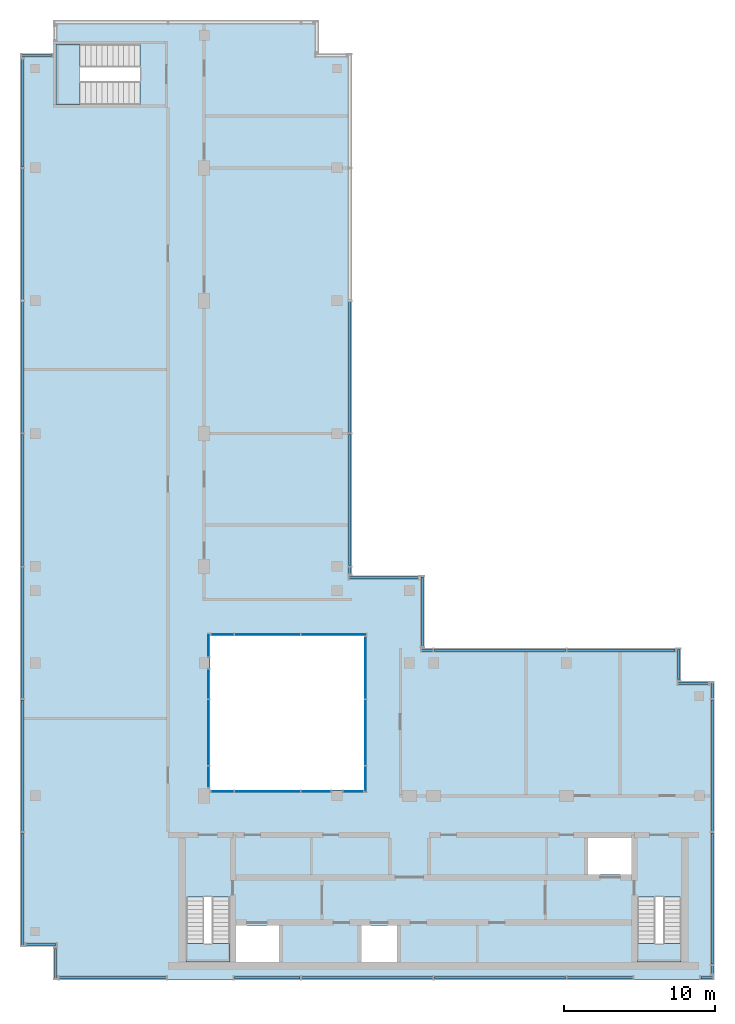
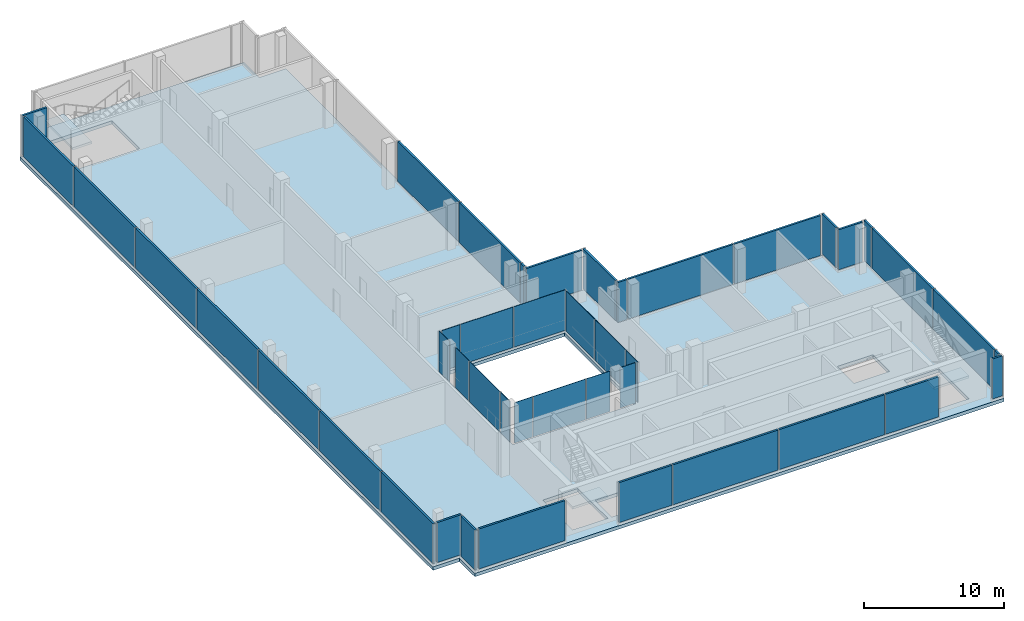
# One storey, part 7 of 11: 44 plates, 4 slabs, 23 elements without a shape of their own.
"""IFC4 building model written with IfcOpenShell, lengths in metres."""

import ifcopenshell
import ifcopenshell.guid

model = None  # the IFC model being written
_history = None  # IfcOwnerHistory: only IFC2X3 demands one
_inside = {}  # id of a spatial element -> (the spatial element, [elements in it])
_under = {}  # id of a project, library or spatial element -> (it, [spatial elements below it])
_declared = {}  # id of a project -> (the project, [libraries it declares])
_typed = {}  # id of a type object -> (the type object, [elements of that type])
_made_of = {}  # id of a material, layer set ... -> (it, [elements and type objects made of it])


def new_model(schema):
    """Start an empty IFC model of exactly this schema.

    Asked for "IFC4X3", IfcOpenShell would pick the latest addendum, in which some entities
    have other attributes; the version numbers below select the first issue.
    IFC2X3 requires an IfcOwnerHistory on every rooted entity: one is made here for all.
    """
    global model, _history
    if schema == "IFC4X3":
        model = ifcopenshell.file(schema_version=(4, 3, 0, 0))
    else:
        model = ifcopenshell.file(schema=schema)
    _inside.clear()
    _under.clear()
    _declared.clear()
    _typed.clear()
    _made_of.clear()
    _history = None
    if model.schema == "IFC2X3":
        org = make("IfcOrganization", Name="unknown")
        user = make(
            "IfcPersonAndOrganization",
            ThePerson=make("IfcPerson", FamilyName="unknown"),
            TheOrganization=org,
        )
        app = make(
            "IfcApplication",
            ApplicationDeveloper=org,
            Version="unknown",
            ApplicationFullName="unknown",
            ApplicationIdentifier="unknown",
        )
        _history = make(
            "IfcOwnerHistory",
            OwningUser=user,
            OwningApplication=app,
            ChangeAction="ADDED",
            CreationDate=0,
        )
    return model


def make(cls, **values):
    """One entity of the class cls with the attributes given. An attribute that is None is left unset."""
    return model.create_entity(
        cls, **{name: value for name, value in values.items() if value is not None}
    )


def rooted(cls, **values):
    """An entity with a GlobalId (a new one), such as an element, a storey or a relation."""
    return make(cls, GlobalId=ifcopenshell.guid.new(), OwnerHistory=_history, **values)


def si_unit(unit_type, name, prefix=None):
    """IfcSIUnit, for example si_unit("LENGTHUNIT", "METRE", prefix="MILLI")."""
    return make("IfcSIUnit", UnitType=unit_type, Prefix=prefix, Name=name)


def assignment(units):
    """IfcUnitAssignment: the units of a project."""
    return None if units is None else make("IfcUnitAssignment", Units=units)


def point(xyz):
    """IfcCartesianPoint."""
    return None if xyz is None else make("IfcCartesianPoint", Coordinates=xyz)


def direction(xyz):
    """IfcDirection."""
    return None if xyz is None else make("IfcDirection", DirectionRatios=xyz)


def frame(location, z_axis=None, x_axis=None):
    """IfcAxis2Placement3D, a coordinate frame: its origin and axes. An axis left out is left unset."""
    return make(
        "IfcAxis2Placement3D",
        Location=point(location),
        Axis=direction(z_axis),
        RefDirection=direction(x_axis),
    )


def frame_2d(location, x_axis=None):
    """IfcAxis2Placement2D, a coordinate frame in the plane: its origin and x axis."""
    return make(
        "IfcAxis2Placement2D", Location=point(location), RefDirection=direction(x_axis)
    )


def origin():
    """The frame at (0, 0, 0) with its axes left unset."""
    return frame((0.0, 0.0, 0.0))


def origin_2d():
    """The frame at (0, 0) in the plane with its x axis left unset."""
    return frame_2d((0.0, 0.0))


def place(relative_to, where):
    """IfcLocalPlacement: puts the frame where relative to a parent placement (None: the world)."""
    return make(
        "IfcLocalPlacement", PlacementRelTo=relative_to, RelativePlacement=where
    )


def context(
    kind, dimensions, precision=None, world=None, true_north=None, identifier=None
):
    """IfcGeometricRepresentationContext, for example the 3D "Model" context."""
    return make(
        "IfcGeometricRepresentationContext",
        ContextIdentifier=identifier,
        ContextType=kind,
        CoordinateSpaceDimension=dimensions,
        Precision=precision,
        WorldCoordinateSystem=world,
        TrueNorth=true_north,
    )


def subcontext(parent, identifier, kind, view, scale=None):
    """IfcGeometricRepresentationSubContext, for example "Body" below "Model"."""
    return make(
        "IfcGeometricRepresentationSubContext",
        ContextIdentifier=identifier,
        ContextType=kind,
        ParentContext=parent,
        TargetScale=scale,
        TargetView=view,
    )


def project(units=None, contexts=None):
    """IfcProject with its units and contexts."""
    return rooted(
        "IfcProject",
        Name="project",
        RepresentationContexts=contexts,
        UnitsInContext=assignment(units),
    )


def spatial(cls, under=None, at=None, **own):
    """A site, building, storey or space (cls), placed at a placement, below another one or the project."""
    s = rooted(cls, ObjectPlacement=at, **own)
    if under is not None:
        _under.setdefault(under.id(), (under, []))[1].append(s)
    return s


def polyline(points):
    """IfcPolyline through the points."""
    return make("IfcPolyline", Points=[point(p) for p in points])


def profile(cls, at=None, kind="AREA", **sizes):
    """A parametric profile (cls). Its sizes go by their IFC names, for example OverallWidth=200.0."""
    return make(cls, ProfileType=kind, Position=at, **sizes)


def rectangle(**sizes):
    """IfcRectangleProfileDef."""
    return profile("IfcRectangleProfileDef", **sizes)


def outline(outer, holes=None, kind="AREA"):
    """IfcArbitraryClosedProfileDef: a profile drawn as a closed curve; with holes, ...WithVoids."""
    if holes is None:
        return make("IfcArbitraryClosedProfileDef", ProfileType=kind, OuterCurve=outer)
    return make(
        "IfcArbitraryProfileDefWithVoids",
        ProfileType=kind,
        OuterCurve=outer,
        InnerCurves=holes,
    )


def extrude(swept, where, along, depth):
    """IfcExtrudedAreaSolid: the profile swept, set in the frame where, extruded along a direction by depth."""
    return make(
        "IfcExtrudedAreaSolid",
        SweptArea=swept,
        Position=where,
        ExtrudedDirection=direction(along),
        Depth=depth,
    )


def shape(context_of_items, identifier, shape_type, items):
    """IfcShapeRepresentation: the items that make up one representation, for example the "Body"."""
    return make(
        "IfcShapeRepresentation",
        ContextOfItems=context_of_items,
        RepresentationIdentifier=identifier,
        RepresentationType=shape_type,
        Items=items,
    )


def source(mapping_origin, context_of_items, identifier, shape_type, items):
    """IfcRepresentationMap: a shape defined once, which mapped items show again and again."""
    return make(
        "IfcRepresentationMap",
        MappingOrigin=mapping_origin,
        MappedRepresentation=shape(context_of_items, identifier, shape_type, items),
    )


def transform(
    local_origin,
    x_axis=None,
    y_axis=None,
    z_axis=None,
    scale=None,
    scale2=None,
    scale3=None,
    uniform=True,
):
    """IfcCartesianTransformationOperator3D, or its non-uniform kind. x_axis, y_axis, z_axis: its Axis1, 2, 3."""
    if uniform:
        return make(
            "IfcCartesianTransformationOperator3D",
            Axis1=direction(x_axis),
            Axis2=direction(y_axis),
            LocalOrigin=point(local_origin),
            Scale=scale,
            Axis3=direction(z_axis),
        )
    return make(
        "IfcCartesianTransformationOperator3DnonUniform",
        Axis1=direction(x_axis),
        Axis2=direction(y_axis),
        LocalOrigin=point(local_origin),
        Scale=scale,
        Axis3=direction(z_axis),
        Scale2=scale2,
        Scale3=scale3,
    )


def mapped(mapping_source, mapping_target):
    """IfcMappedItem: shows the shape of a source again, moved by a transform."""
    return make(
        "IfcMappedItem", MappingSource=mapping_source, MappingTarget=mapping_target
    )


def material(Name=None, Category=None):
    """IfcMaterial."""
    return make("IfcMaterial", Name=Name, Category=Category)


def layer(
    of_material, thickness, ventilated=None, Name=None, Category=None, Priority=None
):
    """IfcMaterialLayer: one layer of a wall or slab, of a material (None: an air gap)."""
    return make(
        "IfcMaterialLayer",
        Material=of_material,
        LayerThickness=thickness,
        IsVentilated=ventilated,
        Name=Name,
        Category=Category,
        Priority=Priority,
    )


def layer_set(layers, Name=None):
    """IfcMaterialLayerSet."""
    return make("IfcMaterialLayerSet", MaterialLayers=layers, LayerSetName=Name)


def made_of(thing, what):
    """Note that an element or type object is made of a material, layer set ...; save() writes the relation."""
    if what is not None:
        _made_of.setdefault(what.id(), (what, []))[1].append(thing)
    return thing


def type_object(cls, material=None, **own):
    """A type object (cls), such as IfcWallType, which elements share."""
    return made_of(rooted(cls, **own), material)


def element(
    cls,
    number,
    at=None,
    inside=None,
    cuts=None,
    type_object=None,
    material=None,
    context=None,
    identifier="Body",
    shape_type=None,
    held_by="IfcProductDefinitionShape",
    body=None,
    shapes=None,
    **own,
):
    """One element of the class cls, such as IfcWall. Its Tag is "e" and its number.

    at: its placement. inside: the storey or other place that contains it. cuts: it is an
    opening in that element (IfcRelVoidsElement). A single representation is given by context,
    identifier, shape_type and body (its items); several are given by shapes. held_by: the class
    of the entity that holds the representations. save() writes the other relations.
    """
    e = rooted(cls, Tag="e%d" % number, ObjectPlacement=at, **own)
    if body is not None:
        shapes = [shape(context, identifier, shape_type, body)]
    if shapes is not None:
        e.Representation = make(held_by, Representations=shapes)
    if inside is not None:
        _inside.setdefault(inside.id(), (inside, []))[1].append(e)
    if cuts is not None:
        rooted(
            "IfcRelVoidsElement", RelatingBuildingElement=cuts, RelatedOpeningElement=e
        )
    if type_object is not None:
        _typed.setdefault(type_object.id(), (type_object, []))[1].append(e)
    return made_of(e, material)


def aggregate(whole, parts):
    """IfcRelAggregates: a whole, such as a stair, and the parts it consists of."""
    return rooted("IfcRelAggregates", RelatingObject=whole, RelatedObjects=parts)


def save(model, path):
    """Write the relations noted so far, then the file.

    IfcRelAggregates (storeys below a building ...), IfcRelContainedInSpatialStructure (elements
    in a storey), IfcRelDefinesByType, IfcRelAssociatesMaterial and IfcRelDeclares: one each for
    every whole, place, type object, material and project.
    """
    for whole, parts in _under.values():
        aggregate(whole, parts)
    for where, things in _inside.values():
        rooted(
            "IfcRelContainedInSpatialStructure",
            RelatedElements=things,
            RelatingStructure=where,
        )
    for kind, things in _typed.values():
        rooted("IfcRelDefinesByType", RelatedObjects=things, RelatingType=kind)
    for what, things in _made_of.values():
        rooted("IfcRelAssociatesMaterial", RelatedObjects=things, RelatingMaterial=what)
    for by, libraries in _declared.values():
        rooted("IfcRelDeclares", RelatingContext=by, RelatedDefinitions=libraries)
    model.write(path)


model = new_model("IFC4")

# Units and contexts
model_context = context("Model", 3, precision=1e-05, world=origin(), true_north=direction((0.0, 1.0)))
body_context = subcontext(model_context, "Body", "Model", "MODEL_VIEW")
ifc_project = project(units=[si_unit("LENGTHUNIT", "METRE"), si_unit("AREAUNIT", "SQUARE_METRE"), si_unit("VOLUMEUNIT", "CUBIC_METRE"), si_unit("PLANEANGLEUNIT", "RADIAN"), si_unit("MASSUNIT", "GRAM", prefix="KILO")], contexts=[model_context])

# Site, building, storey
site_placement = place(None, origin())
site = spatial("IfcSite", under=ifc_project, at=site_placement, CompositionType="ELEMENT")
building_placement = place(site_placement, origin())
building = spatial("IfcBuilding", under=site, at=building_placement, Name="Kemantara Hotel Tower", CompositionType="ELEMENT")
storey_placement = place(building_placement, frame((0.0, 0.0, 322.199951171875)))
storey = spatial("IfcBuildingStorey", under=building, at=storey_placement, Name="L81", CompositionType="ELEMENT", Elevation=322.199951171875)

# Slab
ifc_material_1 = material(Name="Concrete fc 40 MPa", Category="concrete")
ifc_layer_1 = layer(ifc_material_1, 0.300048828125)
ifc_layer_set_1 = layer_set([ifc_layer_1], Name="Concrete fc 40 MPa")
slab_type_1 = type_object("IfcSlabType", Name="POST-TENSIONED FLAT PLATE 300", PredefinedType="FLOOR", material=ifc_layer_set_1)
slab_1_placement = place(storey_placement, frame((0.0, 0.0, -0.300048828125)))
element("IfcSlab", 1, at=slab_1_placement, inside=storey, type_object=slab_type_1, Name="FLOOR SLAB L81", PredefinedType="FLOOR", context=body_context, shape_type="SweptSolid", body=[
    extrude(outline(polyline([(22.0, 26.800048828125), (22.0, 61.39990234375), (19.800048828125, 61.39990234375), (19.800048828125, 63.60009765625), (2.199951171875, 63.60009765625), (2.199951171875, 61.39990234375), (0.0, 61.39990234375), (0.0, 2.199951171875), (2.199951171875, 2.199951171875), (2.199951171875, 0.0), (46.0, 0.0), (46.0, 19.800048828125), (43.800048828125, 19.800048828125), (43.800048828125, 22.0), (26.800048828125, 22.0), (26.800048828125, 26.800048828125), (22.0, 26.800048828125)]), holes=[polyline([(14.22509765625, 3.60009765625), (17.175048828125, 3.60009765625), (17.175048828125, 1.199951171875), (14.22509765625, 1.199951171875), (14.22509765625, 3.60009765625)]), polyline([(24.97509765625, 3.60009765625), (24.97509765625, 1.199951171875), (22.625, 1.199951171875), (22.625, 3.60009765625), (24.97509765625, 3.60009765625)]), polyline([(13.89990234375, 1.199951171875), (11.0, 1.199951171875), (11.0, 5.49951171875), (13.89990234375, 5.49951171875), (13.89990234375, 1.199951171875)]), polyline([(43.800048828125, 1.199951171875), (40.89990234375, 1.199951171875), (40.89990234375, 5.49951171875), (43.800048828125, 5.49951171875), (43.800048828125, 1.199951171875)]), polyline([(40.574951171875, 9.39990234375), (40.574951171875, 7.0), (37.625, 7.0), (37.625, 9.39990234375), (40.574951171875, 9.39990234375)]), polyline([(22.800048828125, 22.800048828125), (22.800048828125, 12.60009765625), (12.60009765625, 12.60009765625), (12.60009765625, 22.800048828125), (22.800048828125, 22.800048828125)]), polyline([(2.39990234375, 58.0), (2.39990234375, 62.0), (7.949462890625, 62.0), (7.949462890625, 58.0), (2.39990234375, 58.0)])]), origin(), (0.0, 0.0, 1.0), 0.300048828125),
])

# Stair, slab
stair_type_1 = type_object("IfcStairType", Name="Stair 1200 wide 24 risers of 167 x 280 mm", PredefinedType="HALF_TURN_STAIR", material=ifc_material_1)
stair_1_placement = place(storey_placement, origin())
stair_1 = element("IfcStair", 2, at=stair_1_placement, inside=storey, type_object=stair_type_1, Name="L81 Exit stair ST1", PredefinedType="HALF_TURN_STAIR")
ifc_layer_2 = layer(ifc_material_1, 0.199951171875)
ifc_layer_set_2 = layer_set([ifc_layer_2], Name="Concrete fc 40 MPa")
slab_type_2 = type_object("IfcSlabType", Name="Stair landing 200 mm", PredefinedType="LANDING", material=ifc_layer_set_2)
slab_2_placement = place(storey_placement, frame((0.0, 0.0, 1.800048828125)))
slab_2 = element("IfcSlab", 3, at=slab_2_placement, type_object=slab_type_2, Name="ST1 landing 1", PredefinedType="LANDING", context=body_context, shape_type="SweptSolid", body=[
    extrude(outline(polyline([(11.0, 2.419921875), (11.0, 1.199951171875), (13.89990234375, 1.199951171875), (13.89990234375, 2.419921875), (11.0, 2.419921875)])), origin(), (0.0, 0.0, 1.0), 0.199951171875),
])
aggregate(stair_1, [slab_2])

stair_2_placement = place(storey_placement, origin())
stair_2 = element("IfcStair", 4, at=stair_2_placement, inside=storey, type_object=stair_type_1, Name="L81 Exit stair ST2", PredefinedType="HALF_TURN_STAIR")
slab_3_placement = place(storey_placement, frame((0.0, 0.0, 1.800048828125)))
slab_3 = element("IfcSlab", 5, at=slab_3_placement, type_object=slab_type_2, Name="ST2 landing 1", PredefinedType="LANDING", context=body_context, shape_type="SweptSolid", body=[
    extrude(outline(polyline([(40.89990234375, 2.419921875), (40.89990234375, 1.199951171875), (43.800048828125, 1.199951171875), (43.800048828125, 2.419921875), (40.89990234375, 2.419921875)])), origin(), (0.0, 0.0, 1.0), 0.199951171875),
])
aggregate(stair_2, [slab_3])

stair_type_2 = type_object("IfcStairType", Name="Stair 1550 wide 24 risers of 167 x 360 mm", PredefinedType="HALF_TURN_STAIR", material=ifc_material_1)
stair_3_placement = place(storey_placement, origin())
stair_3 = element("IfcStair", 6, at=stair_3_placement, inside=storey, type_object=stair_type_2, Name="L81 Exit stair ST4", PredefinedType="HALF_TURN_STAIR")
slab_4_placement = place(storey_placement, frame((0.0, 0.0, 1.800048828125)))
slab_4 = element("IfcSlab", 7, at=slab_4_placement, type_object=slab_type_2, Name="ST4 landing 1", PredefinedType="LANDING", context=body_context, shape_type="SweptSolid", body=[
    extrude(outline(polyline([(3.989990234375, 62.0), (2.39990234375, 62.0), (2.39990234375, 58.0), (3.989990234375, 58.0), (3.989990234375, 62.0)])), origin(), (0.0, 0.0, 1.0), 0.199951171875),
])
aggregate(stair_3, [slab_4])

# Curtain wall, plate
ifc_material_2 = material(Name="Aluminium 6063-T6 bronze anodised", Category="aluminium")
curtain_wall_type_1 = type_object("IfcCurtainWallType", Name="CROWN LOUVRE SCREEN WALL", PredefinedType="USERDEFINED", material=ifc_material_2)
curtain_wall_1_placement = place(storey_placement, origin())
curtain_wall_1 = element("IfcCurtainWall", 8, at=curtain_wall_1_placement, inside=storey, type_object=curtain_wall_type_1, Name="CW7 L81 CRN-R12-1", ObjectType="CROWN LOUVRE SCREEN WALL", PredefinedType="USERDEFINED")
ifc_material_3 = material(Name="Bronze anodised aluminium louvre blades 3 mm", Category="aluminium")
ifc_layer_3 = layer(ifc_material_3, 0.159912109375)
ifc_layer_set_3 = layer_set([ifc_layer_3], Name="Bronze anodised aluminium louvre blades 3 mm")
plate_type_1 = type_object("IfcPlateType", Name="CROWN LOUVRE SCREEN WALL PANEL", PredefinedType="CURTAIN_PANEL", material=ifc_layer_set_3)
shared_shape_1 = source(origin(), body_context, "Body", "SweptSolid", [
    extrude(rectangle(XDim=0.75, YDim=0.159912109375, at=origin_2d()), origin(), (0.0, 0.0, 1.0), 3.5),
])
plate_1_placement = place(storey_placement, frame((26.97509765625, 21.85009765625, 0.199951171875), z_axis=(0.0, 0.0, 1.0), x_axis=(-1.0, 0.0, 0.0)))
plate_1 = element("IfcPlate", 9, at=plate_1_placement, type_object=plate_type_1, Name="CW7 louvre panel CRN-R12-1.3", PredefinedType="CURTAIN_PANEL", context=body_context, shape_type="MappedRepresentation", body=[
    mapped(shared_shape_1, transform((0.0, 0.0, 0.0))),
])

# Curtain wall, plates
curtain_wall_2_placement = place(storey_placement, origin())
curtain_wall_2 = element("IfcCurtainWall", 10, at=curtain_wall_2_placement, inside=storey, type_object=curtain_wall_type_1, Name="CW7 L81 CRN-R05-1", ObjectType="CROWN LOUVRE SCREEN WALL", PredefinedType="USERDEFINED")
shared_shape_2 = source(origin(), body_context, "Body", "SweptSolid", [
    extrude(rectangle(XDim=8.699951171875, YDim=0.159912109375, at=origin_2d()), origin(), (0.0, 0.0, 1.0), 3.5),
])
plate_2_placement = place(storey_placement, frame((0.14990234375, 49.39990234375, 0.199951171875), z_axis=(0.0, 0.0, 1.0), x_axis=(0.0, -1.0, 0.0)))
plate_2 = element("IfcPlate", 11, at=plate_2_placement, type_object=plate_type_1, Name="CW7 louvre panel CRN-R05-1.2", PredefinedType="CURTAIN_PANEL", context=body_context, shape_type="MappedRepresentation", body=[
    mapped(shared_shape_2, transform((0.0, 0.0, 0.0))),
])
plate_3_placement = place(storey_placement, frame((0.14990234375, 40.60009765625, 0.199951171875), z_axis=(0.0, 0.0, 1.0), x_axis=(0.0, -1.0, 0.0)))
plate_3 = element("IfcPlate", 12, at=plate_3_placement, type_object=plate_type_1, Name="CW7 louvre panel CRN-R05-1.3", PredefinedType="CURTAIN_PANEL", context=body_context, shape_type="MappedRepresentation", body=[
    mapped(shared_shape_2, transform((0.0, 0.0, 0.0))),
])
plate_4_placement = place(storey_placement, frame((0.14990234375, 31.800048828125, 0.199951171875), z_axis=(0.0, 0.0, 1.0), x_axis=(0.0, -1.0, 0.0)))
plate_4 = element("IfcPlate", 13, at=plate_4_placement, type_object=plate_type_1, Name="CW7 louvre panel CRN-R05-1.4", PredefinedType="CURTAIN_PANEL", context=body_context, shape_type="MappedRepresentation", body=[
    mapped(shared_shape_2, transform((0.0, 0.0, 0.0))),
])
plate_5_placement = place(storey_placement, frame((0.14990234375, 23.0, 0.199951171875), z_axis=(0.0, 0.0, 1.0), x_axis=(0.0, -1.0, 0.0)))
plate_5 = element("IfcPlate", 14, at=plate_5_placement, type_object=plate_type_1, Name="CW7 louvre panel CRN-R05-1.5", PredefinedType="CURTAIN_PANEL", context=body_context, shape_type="MappedRepresentation", body=[
    mapped(shared_shape_2, transform((0.0, 0.0, 0.0))),
])
plate_6_placement = place(storey_placement, frame((0.14990234375, 14.199951171875, 0.199951171875), z_axis=(0.0, 0.0, 1.0), x_axis=(0.0, -1.0, 0.0)))
plate_6 = element("IfcPlate", 15, at=plate_6_placement, type_object=plate_type_1, Name="CW7 louvre panel CRN-R05-1.6", PredefinedType="CURTAIN_PANEL", context=body_context, shape_type="MappedRepresentation", body=[
    mapped(shared_shape_2, transform((0.0, 0.0, 0.0))),
])

curtain_wall_3_placement = place(storey_placement, origin())
curtain_wall_3 = element("IfcCurtainWall", 16, at=curtain_wall_3_placement, inside=storey, type_object=curtain_wall_type_1, Name="CW7 L81 CRN-R08-2", ObjectType="CROWN LOUVRE SCREEN WALL", PredefinedType="USERDEFINED")
plate_7_placement = place(storey_placement, frame((23.0, 0.14990234375, 0.199951171875), z_axis=(0.0, 0.0, 1.0), x_axis=(1.0, 0.0, 0.0)))
plate_7 = element("IfcPlate", 17, at=plate_7_placement, type_object=plate_type_1, Name="CW7 louvre panel CRN-R08-2.2", PredefinedType="CURTAIN_PANEL", context=body_context, shape_type="MappedRepresentation", body=[
    mapped(shared_shape_2, transform((0.0, 0.0, 0.0))),
])
plate_8_placement = place(storey_placement, frame((31.800048828125, 0.14990234375, 0.199951171875), z_axis=(0.0, 0.0, 1.0), x_axis=(1.0, 0.0, 0.0)))
plate_8 = element("IfcPlate", 18, at=plate_8_placement, type_object=plate_type_1, Name="CW7 louvre panel CRN-R08-2.3", PredefinedType="CURTAIN_PANEL", context=body_context, shape_type="MappedRepresentation", body=[
    mapped(shared_shape_2, transform((0.0, 0.0, 0.0))),
])

curtain_wall_4_placement = place(storey_placement, origin())
curtain_wall_4 = element("IfcCurtainWall", 19, at=curtain_wall_4_placement, inside=storey, type_object=curtain_wall_type_1, Name="CW7 L81 CRN-R09-1", ObjectType="CROWN LOUVRE SCREEN WALL", PredefinedType="USERDEFINED")
plate_9_placement = place(storey_placement, frame((45.85009765625, 5.39990234375, 0.199951171875), z_axis=(0.0, 0.0, 1.0), x_axis=(0.0, 1.0, 0.0)))
plate_9 = element("IfcPlate", 20, at=plate_9_placement, type_object=plate_type_1, Name="CW7 louvre panel CRN-R09-1.2", PredefinedType="CURTAIN_PANEL", context=body_context, shape_type="MappedRepresentation", body=[
    mapped(shared_shape_2, transform((0.0, 0.0, 0.0))),
])
plate_10_placement = place(storey_placement, frame((45.85009765625, 14.199951171875, 0.199951171875), z_axis=(0.0, 0.0, 1.0), x_axis=(0.0, 1.0, 0.0)))
plate_10 = element("IfcPlate", 21, at=plate_10_placement, type_object=plate_type_1, Name="CW7 louvre panel CRN-R09-1.3", PredefinedType="CURTAIN_PANEL", context=body_context, shape_type="MappedRepresentation", body=[
    mapped(shared_shape_2, transform((0.0, 0.0, 0.0))),
])

# Plate
plate_11_placement = place(storey_placement, frame((31.800048828125, 21.85009765625, 0.199951171875), z_axis=(0.0, 0.0, 1.0), x_axis=(-1.0, 0.0, 0.0)))
plate_11 = element("IfcPlate", 22, at=plate_11_placement, type_object=plate_type_1, Name="CW7 louvre panel CRN-R12-1.2", PredefinedType="CURTAIN_PANEL", context=body_context, shape_type="MappedRepresentation", body=[
    mapped(shared_shape_2, transform((0.0, 0.0, 0.0))),
])

# Curtain wall, plates
curtain_wall_5_placement = place(storey_placement, origin())
curtain_wall_5 = element("IfcCurtainWall", 23, at=curtain_wall_5_placement, inside=storey, type_object=curtain_wall_type_1, Name="CW7 L81 CRN-R15-1", ObjectType="CROWN LOUVRE SCREEN WALL", PredefinedType="USERDEFINED")
plate_12_placement = place(storey_placement, frame((21.85009765625, 31.800048828125, 0.199951171875), z_axis=(0.0, 0.0, 1.0), x_axis=(0.0, 1.0, 0.0)))
plate_12 = element("IfcPlate", 24, at=plate_12_placement, type_object=plate_type_1, Name="CW7 louvre panel CRN-R15-1.2", PredefinedType="CURTAIN_PANEL", context=body_context, shape_type="MappedRepresentation", body=[
    mapped(shared_shape_2, transform((0.0, 0.0, 0.0))),
])
plate_13_placement = place(storey_placement, frame((21.85009765625, 40.60009765625, 0.199951171875), z_axis=(0.0, 0.0, 1.0), x_axis=(0.0, 1.0, 0.0)))
plate_13 = element("IfcPlate", 25, at=plate_13_placement, type_object=plate_type_1, Name="CW7 louvre panel CRN-R15-1.3", PredefinedType="CURTAIN_PANEL", context=body_context, shape_type="MappedRepresentation", body=[
    mapped(shared_shape_2, transform((0.0, 0.0, 0.0))),
])

# Plate
shared_shape_3 = source(origin(), body_context, "Body", "SweptSolid", [
    extrude(rectangle(XDim=7.449951171875, YDim=0.159912109375, at=origin_2d()), origin(), (0.0, 0.0, 1.0), 3.5),
])
plate_14_placement = place(storey_placement, frame((0.14990234375, 6.02490234375, 0.199951171875), z_axis=(0.0, 0.0, 1.0), x_axis=(0.0, -1.0, 0.0)))
plate_14 = element("IfcPlate", 26, at=plate_14_placement, type_object=plate_type_1, Name="CW7 louvre panel CRN-R05-1.7", PredefinedType="CURTAIN_PANEL", context=body_context, shape_type="MappedRepresentation", body=[
    mapped(shared_shape_3, transform((0.0, 0.0, 0.0))),
])

shared_shape_4 = source(origin(), body_context, "Body", "SweptSolid", [
    extrude(rectangle(XDim=7.14990234375, YDim=0.159912109375, at=origin_2d()), origin(), (0.0, 0.0, 1.0), 3.5),
])
plate_15_placement = place(storey_placement, frame((0.14990234375, 57.425048828125, 0.199951171875), z_axis=(0.0, 0.0, 1.0), x_axis=(0.0, -1.0, 0.0)))
plate_15 = element("IfcPlate", 27, at=plate_15_placement, type_object=plate_type_1, Name="CW7 louvre panel CRN-R05-1.1", PredefinedType="CURTAIN_PANEL", context=body_context, shape_type="MappedRepresentation", body=[
    mapped(shared_shape_4, transform((0.0, 0.0, 0.0))),
])

aggregate(curtain_wall_2, [plate_15, plate_2, plate_3, plate_4, plate_5, plate_6, plate_14])

plate_16_placement = place(storey_placement, frame((39.824951171875, 21.85009765625, 0.199951171875), z_axis=(0.0, 0.0, 1.0), x_axis=(-1.0, 0.0, 0.0)))
plate_16 = element("IfcPlate", 28, at=plate_16_placement, type_object=plate_type_1, Name="CW7 louvre panel CRN-R12-1.1", PredefinedType="CURTAIN_PANEL", context=body_context, shape_type="MappedRepresentation", body=[
    mapped(shared_shape_4, transform((0.0, 0.0, 0.0))),
])

aggregate(curtain_wall_1, [plate_16, plate_11, plate_1])

# Curtain wall, plate
curtain_wall_6_placement = place(storey_placement, origin())
curtain_wall_6 = element("IfcCurtainWall", 29, at=curtain_wall_6_placement, inside=storey, type_object=curtain_wall_type_1, Name="CW7 L81 CRN-R08-1", ObjectType="CROWN LOUVRE SCREEN WALL", PredefinedType="USERDEFINED")
shared_shape_5 = source(origin(), body_context, "Body", "SweptSolid", [
    extrude(rectangle(XDim=7.10009765625, YDim=0.159912109375, at=origin_2d()), origin(), (0.0, 0.0, 1.0), 3.5),
])
plate_17_placement = place(storey_placement, frame((6.14990234375, 0.14990234375, 0.199951171875), z_axis=(0.0, 0.0, 1.0), x_axis=(1.0, 0.0, 0.0)))
plate_17 = element("IfcPlate", 30, at=plate_17_placement, type_object=plate_type_1, Name="CW7 louvre panel CRN-R08-1.1", PredefinedType="CURTAIN_PANEL", context=body_context, shape_type="MappedRepresentation", body=[
    mapped(shared_shape_5, transform((0.0, 0.0, 0.0))),
])
aggregate(curtain_wall_6, [plate_17])

# Plate
shared_shape_6 = source(origin(), body_context, "Body", "SweptSolid", [
    extrude(rectangle(XDim=4.35009765625, YDim=0.159912109375, at=origin_2d()), origin(), (0.0, 0.0, 1.0), 3.5),
])
plate_18_placement = place(storey_placement, frame((16.375, 0.14990234375, 0.199951171875), z_axis=(0.0, 0.0, 1.0), x_axis=(1.0, 0.0, 0.0)))
plate_18 = element("IfcPlate", 31, at=plate_18_placement, type_object=plate_type_1, Name="CW7 louvre panel CRN-R08-2.1", PredefinedType="CURTAIN_PANEL", context=body_context, shape_type="MappedRepresentation", body=[
    mapped(shared_shape_6, transform((0.0, 0.0, 0.0))),
])

plate_19_placement = place(storey_placement, frame((38.425048828125, 0.14990234375, 0.199951171875), z_axis=(0.0, 0.0, 1.0), x_axis=(1.0, 0.0, 0.0)))
plate_19 = element("IfcPlate", 32, at=plate_19_placement, type_object=plate_type_1, Name="CW7 louvre panel CRN-R08-2.4", PredefinedType="CURTAIN_PANEL", context=body_context, shape_type="MappedRepresentation", body=[
    mapped(shared_shape_6, transform((0.0, 0.0, 0.0))),
])

aggregate(curtain_wall_3, [plate_18, plate_7, plate_8, plate_19])

# Curtain wall, plate
curtain_wall_7_placement = place(storey_placement, origin())
curtain_wall_7 = element("IfcCurtainWall", 33, at=curtain_wall_7_placement, inside=storey, type_object=curtain_wall_type_1, Name="CW7 L81 CRN-R08-3", ObjectType="CROWN LOUVRE SCREEN WALL", PredefinedType="USERDEFINED")
shared_shape_7 = source(origin(), body_context, "Body", "SweptSolid", [
    extrude(rectangle(XDim=0.800048828125, YDim=0.159912109375, at=origin_2d()), origin(), (0.0, 0.0, 1.0), 3.5),
])
plate_20_placement = place(storey_placement, frame((45.5, 0.14990234375, 0.199951171875), z_axis=(0.0, 0.0, 1.0), x_axis=(1.0, 0.0, 0.0)))
plate_20 = element("IfcPlate", 34, at=plate_20_placement, type_object=plate_type_1, Name="CW7 louvre panel CRN-R08-3.1", PredefinedType="CURTAIN_PANEL", context=body_context, shape_type="MappedRepresentation", body=[
    mapped(shared_shape_7, transform((0.0, 0.0, 0.0))),
])
aggregate(curtain_wall_7, [plate_20])

# Plate
shared_shape_8 = source(origin(), body_context, "Body", "SweptSolid", [
    extrude(rectangle(XDim=0.550048828125, YDim=0.159912109375, at=origin_2d()), origin(), (0.0, 0.0, 1.0), 3.5),
])
plate_21_placement = place(storey_placement, frame((45.85009765625, 0.675048828125, 0.199951171875), z_axis=(0.0, 0.0, 1.0), x_axis=(0.0, 1.0, 0.0)))
plate_21 = element("IfcPlate", 35, at=plate_21_placement, type_object=plate_type_1, Name="CW7 louvre panel CRN-R09-1.1", PredefinedType="CURTAIN_PANEL", context=body_context, shape_type="MappedRepresentation", body=[
    mapped(shared_shape_8, transform((0.0, 0.0, 0.0))),
])

shared_shape_9 = source(origin(), body_context, "Body", "SweptSolid", [
    extrude(rectangle(XDim=1.050048828125, YDim=0.159912109375, at=origin_2d()), origin(), (0.0, 0.0, 1.0), 3.5),
])
plate_22_placement = place(storey_placement, frame((45.85009765625, 19.175048828125, 0.199951171875), z_axis=(0.0, 0.0, 1.0), x_axis=(0.0, 1.0, 0.0)))
plate_22 = element("IfcPlate", 36, at=plate_22_placement, type_object=plate_type_1, Name="CW7 louvre panel CRN-R09-1.4", PredefinedType="CURTAIN_PANEL", context=body_context, shape_type="MappedRepresentation", body=[
    mapped(shared_shape_9, transform((0.0, 0.0, 0.0))),
])

aggregate(curtain_wall_4, [plate_21, plate_9, plate_10, plate_22])

# Curtain wall, plate
curtain_wall_8_placement = place(storey_placement, origin())
curtain_wall_8 = element("IfcCurtainWall", 37, at=curtain_wall_8_placement, inside=storey, type_object=curtain_wall_type_1, Name="CW7 L81 CRN-R13-1", ObjectType="CROWN LOUVRE SCREEN WALL", PredefinedType="USERDEFINED")
shared_shape_10 = source(origin(), body_context, "Body", "SweptSolid", [
    extrude(rectangle(XDim=4.60009765625, YDim=0.159912109375, at=origin_2d()), origin(), (0.0, 0.0, 1.0), 3.5),
])
plate_23_placement = place(storey_placement, frame((26.64990234375, 24.39990234375, 0.199951171875), z_axis=(0.0, 0.0, 1.0), x_axis=(0.0, 1.0, 0.0)))
plate_23 = element("IfcPlate", 38, at=plate_23_placement, type_object=plate_type_1, Name="CW7 louvre panel CRN-R13-1.1", PredefinedType="CURTAIN_PANEL", context=body_context, shape_type="MappedRepresentation", body=[
    mapped(shared_shape_10, transform((0.0, 0.0, 0.0))),
])
aggregate(curtain_wall_8, [plate_23])

curtain_wall_9_placement = place(storey_placement, origin())
curtain_wall_9 = element("IfcCurtainWall", 39, at=curtain_wall_9_placement, inside=storey, type_object=curtain_wall_type_1, Name="CW7 L81 CRN-R14-1", ObjectType="CROWN LOUVRE SCREEN WALL", PredefinedType="USERDEFINED")
plate_24_placement = place(storey_placement, frame((24.10009765625, 26.64990234375, 0.199951171875), z_axis=(0.0, 0.0, 1.0), x_axis=(-1.0, 0.0, 0.0)))
plate_24 = element("IfcPlate", 40, at=plate_24_placement, type_object=plate_type_1, Name="CW7 louvre panel CRN-R14-1.1", PredefinedType="CURTAIN_PANEL", context=body_context, shape_type="MappedRepresentation", body=[
    mapped(shared_shape_10, transform((0.0, 0.0, 0.0))),
])
aggregate(curtain_wall_9, [plate_24])

# Plate
shared_shape_11 = source(origin(), body_context, "Body", "SweptSolid", [
    extrude(rectangle(XDim=0.449951171875, YDim=0.159912109375, at=origin_2d()), origin(), (0.0, 0.0, 1.0), 3.5),
])
plate_25_placement = place(storey_placement, frame((21.85009765625, 27.125, 0.199951171875), z_axis=(0.0, 0.0, 1.0), x_axis=(0.0, 1.0, 0.0)))
plate_25 = element("IfcPlate", 41, at=plate_25_placement, type_object=plate_type_1, Name="CW7 louvre panel CRN-R15-1.1", PredefinedType="CURTAIN_PANEL", context=body_context, shape_type="MappedRepresentation", body=[
    mapped(shared_shape_11, transform((0.0, 0.0, 0.0))),
])

aggregate(curtain_wall_5, [plate_25, plate_12, plate_13])

# Curtain wall, plate
curtain_wall_10_placement = place(storey_placement, origin())
curtain_wall_10 = element("IfcCurtainWall", 42, at=curtain_wall_10_placement, inside=storey, type_object=curtain_wall_type_1, Name="CW7 L81 CRN-R04-1", ObjectType="CROWN LOUVRE SCREEN WALL", PredefinedType="USERDEFINED")
shared_shape_12 = source(origin(), body_context, "Body", "SweptSolid", [
    extrude(rectangle(XDim=2.0, YDim=0.159912109375, at=origin_2d()), origin(), (0.0, 0.0, 1.0), 3.5),
])
plate_26_placement = place(storey_placement, frame((1.10009765625, 61.25, 0.199951171875), z_axis=(0.0, 0.0, 1.0), x_axis=(-1.0, 0.0, 0.0)))
plate_26 = element("IfcPlate", 43, at=plate_26_placement, type_object=plate_type_1, Name="CW7 louvre panel CRN-R04-1.1", PredefinedType="CURTAIN_PANEL", context=body_context, shape_type="MappedRepresentation", body=[
    mapped(shared_shape_12, transform((0.0, 0.0, 0.0))),
])
aggregate(curtain_wall_10, [plate_26])

curtain_wall_11_placement = place(storey_placement, origin())
curtain_wall_11 = element("IfcCurtainWall", 44, at=curtain_wall_11_placement, inside=storey, type_object=curtain_wall_type_1, Name="CW7 L81 CRN-R06-1", ObjectType="CROWN LOUVRE SCREEN WALL", PredefinedType="USERDEFINED")
plate_27_placement = place(storey_placement, frame((1.39990234375, 2.35009765625, 0.199951171875), z_axis=(0.0, 0.0, 1.0), x_axis=(1.0, 0.0, 0.0)))
plate_27 = element("IfcPlate", 45, at=plate_27_placement, type_object=plate_type_1, Name="CW7 louvre panel CRN-R06-1.1", PredefinedType="CURTAIN_PANEL", context=body_context, shape_type="MappedRepresentation", body=[
    mapped(shared_shape_12, transform((0.0, 0.0, 0.0))),
])
aggregate(curtain_wall_11, [plate_27])

curtain_wall_12_placement = place(storey_placement, origin())
curtain_wall_12 = element("IfcCurtainWall", 46, at=curtain_wall_12_placement, inside=storey, type_object=curtain_wall_type_1, Name="CW7 L81 CRN-R07-1", ObjectType="CROWN LOUVRE SCREEN WALL", PredefinedType="USERDEFINED")
plate_28_placement = place(storey_placement, frame((2.35009765625, 1.10009765625, 0.199951171875), z_axis=(0.0, 0.0, 1.0), x_axis=(0.0, -1.0, 0.0)))
plate_28 = element("IfcPlate", 47, at=plate_28_placement, type_object=plate_type_1, Name="CW7 louvre panel CRN-R07-1.1", PredefinedType="CURTAIN_PANEL", context=body_context, shape_type="MappedRepresentation", body=[
    mapped(shared_shape_12, transform((0.0, 0.0, 0.0))),
])
aggregate(curtain_wall_12, [plate_28])

curtain_wall_13_placement = place(storey_placement, origin())
curtain_wall_13 = element("IfcCurtainWall", 48, at=curtain_wall_13_placement, inside=storey, type_object=curtain_wall_type_1, Name="CW7 L81 CRN-R10-1", ObjectType="CROWN LOUVRE SCREEN WALL", PredefinedType="USERDEFINED")
plate_29_placement = place(storey_placement, frame((44.60009765625, 19.64990234375, 0.199951171875), z_axis=(0.0, 0.0, 1.0), x_axis=(-1.0, 0.0, 0.0)))
plate_29 = element("IfcPlate", 49, at=plate_29_placement, type_object=plate_type_1, Name="CW7 louvre panel CRN-R10-1.1", PredefinedType="CURTAIN_PANEL", context=body_context, shape_type="MappedRepresentation", body=[
    mapped(shared_shape_12, transform((0.0, 0.0, 0.0))),
])
aggregate(curtain_wall_13, [plate_29])

curtain_wall_14_placement = place(storey_placement, origin())
curtain_wall_14 = element("IfcCurtainWall", 50, at=curtain_wall_14_placement, inside=storey, type_object=curtain_wall_type_1, Name="CW7 L81 CRN-R11-1", ObjectType="CROWN LOUVRE SCREEN WALL", PredefinedType="USERDEFINED")
plate_30_placement = place(storey_placement, frame((43.64990234375, 20.89990234375, 0.199951171875), z_axis=(0.0, 0.0, 1.0), x_axis=(0.0, 1.0, 0.0)))
plate_30 = element("IfcPlate", 51, at=plate_30_placement, type_object=plate_type_1, Name="CW7 louvre panel CRN-R11-1.1", PredefinedType="CURTAIN_PANEL", context=body_context, shape_type="MappedRepresentation", body=[
    mapped(shared_shape_12, transform((0.0, 0.0, 0.0))),
])
aggregate(curtain_wall_14, [plate_30])

ifc_material_4 = material(Name="Clear low-iron laminated glass 36 mm", Category="glass")
curtain_wall_type_2 = type_object("IfcCurtainWallType", Name="ATRIUM GLAZING WALL", PredefinedType="USERDEFINED", material=ifc_material_4)
curtain_wall_15_placement = place(storey_placement, origin())
curtain_wall_15 = element("IfcCurtainWall", 52, at=curtain_wall_15_placement, inside=storey, type_object=curtain_wall_type_2, Name="CW5 L81 ATR-R0-1", ObjectType="ATRIUM GLAZING WALL", PredefinedType="USERDEFINED")
ifc_layer_4 = layer(ifc_material_4, 0.035888671875)
ifc_layer_set_4 = layer_set([ifc_layer_4], Name="Clear low-iron laminated glass 36 mm")
plate_type_2 = type_object("IfcPlateType", Name="ATRIUM GLAZING WALL PANEL", PredefinedType="CURTAIN_PANEL", material=ifc_layer_set_4)
shared_shape_13 = source(origin(), body_context, "Body", "SweptSolid", [
    extrude(rectangle(XDim=1.487548828125, YDim=0.035888671875, at=origin_2d()), origin(), (0.0, 0.0, 1.0), 3.550048828125),
])
plate_31_placement = place(storey_placement, frame((13.418701171875, 22.89990234375, 0.14990234375), z_axis=(0.0, 0.0, 1.0), x_axis=(1.0, 0.0, 0.0)))
plate_31 = element("IfcPlate", 53, at=plate_31_placement, type_object=plate_type_2, Name="CW5 glass panel ATR-R0-1.1", PredefinedType="CURTAIN_PANEL", context=body_context, shape_type="MappedRepresentation", body=[
    mapped(shared_shape_13, transform((0.0, 0.0, 0.0))),
])

curtain_wall_16_placement = place(storey_placement, origin())
curtain_wall_16 = element("IfcCurtainWall", 54, at=curtain_wall_16_placement, inside=storey, type_object=curtain_wall_type_2, Name="CW5 L81 ATR-R2-2", ObjectType="ATRIUM GLAZING WALL", PredefinedType="USERDEFINED")
plate_32_placement = place(storey_placement, frame((13.418701171875, 12.5, 0.14990234375), z_axis=(0.0, 0.0, 1.0), x_axis=(-1.0, 0.0, 0.0)))
plate_32 = element("IfcPlate", 55, at=plate_32_placement, type_object=plate_type_2, Name="CW5 glass panel ATR-R2-2.3", PredefinedType="CURTAIN_PANEL", context=body_context, shape_type="MappedRepresentation", body=[
    mapped(shared_shape_13, transform((0.0, 0.0, 0.0))),
])

# Plate
shared_shape_14 = source(origin(), body_context, "Body", "SweptSolid", [
    extrude(rectangle(XDim=4.324951171875, YDim=0.035888671875, at=origin_2d()), origin(), (0.0, 0.0, 1.0), 3.550048828125),
])
plate_33_placement = place(storey_placement, frame((16.39990234375, 22.89990234375, 0.14990234375), z_axis=(0.0, 0.0, 1.0), x_axis=(1.0, 0.0, 0.0)))
plate_33 = element("IfcPlate", 56, at=plate_33_placement, type_object=plate_type_2, Name="CW5 glass panel ATR-R0-1.2", PredefinedType="CURTAIN_PANEL", context=body_context, shape_type="MappedRepresentation", body=[
    mapped(shared_shape_14, transform((0.0, 0.0, 0.0))),
])

# Curtain wall, plate
curtain_wall_17_placement = place(storey_placement, origin())
curtain_wall_17 = element("IfcCurtainWall", 57, at=curtain_wall_17_placement, inside=storey, type_object=curtain_wall_type_2, Name="CW5 L81 ATR-R1-1", ObjectType="ATRIUM GLAZING WALL", PredefinedType="USERDEFINED")
plate_34_placement = place(storey_placement, frame((22.89990234375, 16.39990234375, 0.14990234375), z_axis=(0.0, 0.0, 1.0), x_axis=(0.0, -1.0, 0.0)))
plate_34 = element("IfcPlate", 58, at=plate_34_placement, type_object=plate_type_2, Name="CW5 glass panel ATR-R1-1.2", PredefinedType="CURTAIN_PANEL", context=body_context, shape_type="MappedRepresentation", body=[
    mapped(shared_shape_14, transform((0.0, 0.0, 0.0))),
])

# Plate
plate_35_placement = place(storey_placement, frame((16.39990234375, 12.5, 0.14990234375), z_axis=(0.0, 0.0, 1.0), x_axis=(-1.0, 0.0, 0.0)))
plate_35 = element("IfcPlate", 59, at=plate_35_placement, type_object=plate_type_2, Name="CW5 glass panel ATR-R2-2.2", PredefinedType="CURTAIN_PANEL", context=body_context, shape_type="MappedRepresentation", body=[
    mapped(shared_shape_14, transform((0.0, 0.0, 0.0))),
])

# Curtain wall, plate
curtain_wall_18_placement = place(storey_placement, origin())
curtain_wall_18 = element("IfcCurtainWall", 60, at=curtain_wall_18_placement, inside=storey, type_object=curtain_wall_type_2, Name="CW5 L81 ATR-R3-1", ObjectType="ATRIUM GLAZING WALL", PredefinedType="USERDEFINED")
plate_36_placement = place(storey_placement, frame((12.5, 16.39990234375, 0.14990234375), z_axis=(0.0, 0.0, 1.0), x_axis=(0.0, 1.0, 0.0)))
plate_36 = element("IfcPlate", 61, at=plate_36_placement, type_object=plate_type_2, Name="CW5 glass panel ATR-R3-1.2", PredefinedType="CURTAIN_PANEL", context=body_context, shape_type="MappedRepresentation", body=[
    mapped(shared_shape_14, transform((0.0, 0.0, 0.0))),
])

# Plate
shared_shape_15 = source(origin(), body_context, "Body", "SweptSolid", [
    extrude(rectangle(XDim=4.28759765625, YDim=0.035888671875, at=origin_2d()), origin(), (0.0, 0.0, 1.0), 3.550048828125),
])
plate_37_placement = place(storey_placement, frame((20.78125, 22.89990234375, 0.14990234375), z_axis=(0.0, 0.0, 1.0), x_axis=(1.0, 0.0, 0.0)))
plate_37 = element("IfcPlate", 62, at=plate_37_placement, type_object=plate_type_2, Name="CW5 glass panel ATR-R0-1.3", PredefinedType="CURTAIN_PANEL", context=body_context, shape_type="MappedRepresentation", body=[
    mapped(shared_shape_15, transform((0.0, 0.0, 0.0))),
])

aggregate(curtain_wall_15, [plate_31, plate_33, plate_37])

shared_shape_16 = source(origin(), body_context, "Body", "SweptSolid", [
    extrude(rectangle(XDim=4.08740234375, YDim=0.035888671875, at=origin_2d()), origin(), (0.0, 0.0, 1.0), 3.550048828125),
])
plate_38_placement = place(storey_placement, frame((22.89990234375, 20.68115234375, 0.14990234375), z_axis=(0.0, 0.0, 1.0), x_axis=(0.0, -1.0, 0.0)))
plate_38 = element("IfcPlate", 63, at=plate_38_placement, type_object=plate_type_2, Name="CW5 glass panel ATR-R1-1.1", PredefinedType="CURTAIN_PANEL", context=body_context, shape_type="MappedRepresentation", body=[
    mapped(shared_shape_16, transform((0.0, 0.0, 0.0))),
])

shared_shape_17 = source(origin(), body_context, "Body", "SweptSolid", [
    extrude(rectangle(XDim=1.6875, YDim=0.035888671875, at=origin_2d()), origin(), (0.0, 0.0, 1.0), 3.550048828125),
])
plate_39_placement = place(storey_placement, frame((22.89990234375, 13.31884765625, 0.14990234375), z_axis=(0.0, 0.0, 1.0), x_axis=(0.0, -1.0, 0.0)))
plate_39 = element("IfcPlate", 64, at=plate_39_placement, type_object=plate_type_2, Name="CW5 glass panel ATR-R1-1.3", PredefinedType="CURTAIN_PANEL", context=body_context, shape_type="MappedRepresentation", body=[
    mapped(shared_shape_17, transform((0.0, 0.0, 0.0))),
])

aggregate(curtain_wall_17, [plate_38, plate_34, plate_39])

# Curtain wall, plate
curtain_wall_19_placement = place(storey_placement, origin())
curtain_wall_19 = element("IfcCurtainWall", 65, at=curtain_wall_19_placement, inside=storey, type_object=curtain_wall_type_2, Name="CW5 L81 ATR-R2-1", ObjectType="ATRIUM GLAZING WALL", PredefinedType="USERDEFINED")
shared_shape_18 = source(origin(), body_context, "Body", "SweptSolid", [
    extrude(rectangle(XDim=1.300048828125, YDim=0.035888671875, at=origin_2d()), origin(), (0.0, 0.0, 1.0), 3.550048828125),
])
plate_40_placement = place(storey_placement, frame((22.074951171875, 12.5, 0.14990234375), z_axis=(0.0, 0.0, 1.0), x_axis=(-1.0, 0.0, 0.0)))
plate_40 = element("IfcPlate", 66, at=plate_40_placement, type_object=plate_type_2, Name="CW5 glass panel ATR-R2-1.1", PredefinedType="CURTAIN_PANEL", context=body_context, shape_type="MappedRepresentation", body=[
    mapped(shared_shape_18, transform((0.0, 0.0, 0.0))),
])
aggregate(curtain_wall_19, [plate_40])

# Plate
shared_shape_19 = source(origin(), body_context, "Body", "SweptSolid", [
    extrude(rectangle(XDim=1.9375, YDim=0.035888671875, at=origin_2d()), origin(), (0.0, 0.0, 1.0), 3.550048828125),
])
plate_41_placement = place(storey_placement, frame((19.606201171875, 12.5, 0.14990234375), z_axis=(0.0, 0.0, 1.0), x_axis=(-1.0, 0.0, 0.0)))
plate_41 = element("IfcPlate", 67, at=plate_41_placement, type_object=plate_type_2, Name="CW5 glass panel ATR-R2-2.1", PredefinedType="CURTAIN_PANEL", context=body_context, shape_type="MappedRepresentation", body=[
    mapped(shared_shape_19, transform((0.0, 0.0, 0.0))),
])

aggregate(curtain_wall_16, [plate_41, plate_35, plate_32])

plate_42_placement = place(storey_placement, frame((12.5, 19.606201171875, 0.14990234375), z_axis=(0.0, 0.0, 1.0), x_axis=(0.0, 1.0, 0.0)))
plate_42 = element("IfcPlate", 68, at=plate_42_placement, type_object=plate_type_2, Name="CW5 glass panel ATR-R3-1.3", PredefinedType="CURTAIN_PANEL", context=body_context, shape_type="MappedRepresentation", body=[
    mapped(shared_shape_19, transform((0.0, 0.0, 0.0))),
])

shared_shape_20 = source(origin(), body_context, "Body", "SweptSolid", [
    extrude(rectangle(XDim=1.387451171875, YDim=0.035888671875, at=origin_2d()), origin(), (0.0, 0.0, 1.0), 3.550048828125),
])
plate_43_placement = place(storey_placement, frame((12.5, 13.46875, 0.14990234375), z_axis=(0.0, 0.0, 1.0), x_axis=(0.0, 1.0, 0.0)))
plate_43 = element("IfcPlate", 69, at=plate_43_placement, type_object=plate_type_2, Name="CW5 glass panel ATR-R3-1.1", PredefinedType="CURTAIN_PANEL", context=body_context, shape_type="MappedRepresentation", body=[
    mapped(shared_shape_20, transform((0.0, 0.0, 0.0))),
])

aggregate(curtain_wall_18, [plate_43, plate_36, plate_42])

# Curtain wall, plate
curtain_wall_20_placement = place(storey_placement, origin())
curtain_wall_20 = element("IfcCurtainWall", 70, at=curtain_wall_20_placement, inside=storey, type_object=curtain_wall_type_2, Name="CW5 L81 ATR-R3-2", ObjectType="ATRIUM GLAZING WALL", PredefinedType="USERDEFINED")
shared_shape_21 = source(origin(), body_context, "Body", "SweptSolid", [
    extrude(rectangle(XDim=1.5, YDim=0.035888671875, at=origin_2d()), origin(), (0.0, 0.0, 1.0), 3.550048828125),
])
plate_44_placement = place(storey_placement, frame((12.5, 22.175048828125, 0.14990234375), z_axis=(0.0, 0.0, 1.0), x_axis=(0.0, 1.0, 0.0)))
plate_44 = element("IfcPlate", 71, at=plate_44_placement, type_object=plate_type_2, Name="CW5 glass panel ATR-R3-2.1", PredefinedType="CURTAIN_PANEL", context=body_context, shape_type="MappedRepresentation", body=[
    mapped(shared_shape_21, transform((0.0, 0.0, 0.0))),
])
aggregate(curtain_wall_20, [plate_44])

save(model, "model.ifc")
